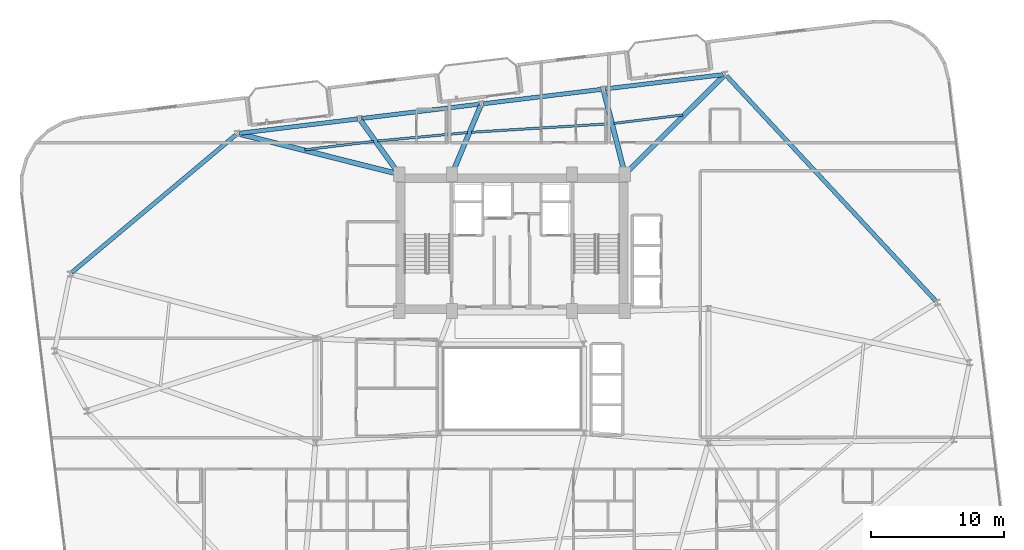
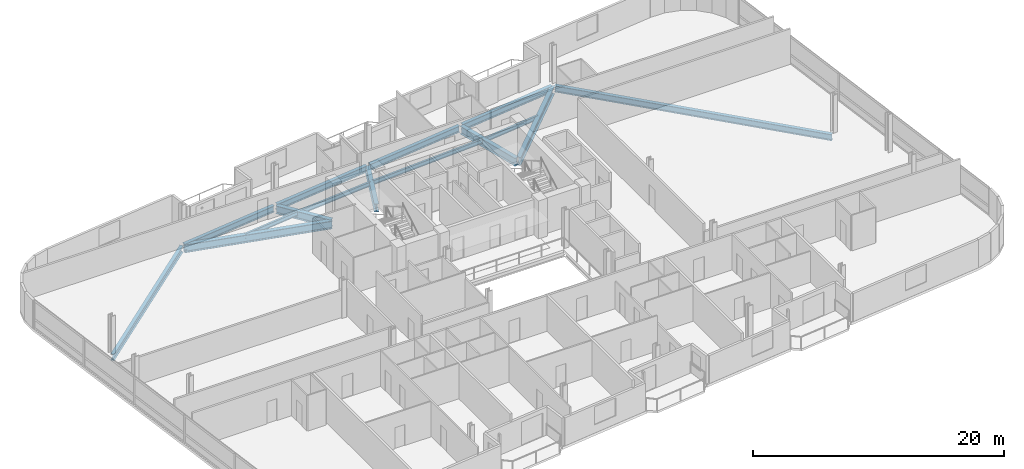
# One storey, part 9 of 23: 15 beams.
"""IFC4 building model written with IfcOpenShell, lengths in metres."""

from ifc_helpers import new_model, si_unit, direction, frame, origin, origin_2d, place, context, subcontext, project, spatial, i_section, extrude, material, material_profile, profile_set, type_object, element, save


model = new_model("IFC4")

# Units and contexts
model_context = context("Model", 3, precision=1e-05, world=origin(), true_north=direction((0.0, 1.0)))
body_context = subcontext(model_context, "Body", "Model", "MODEL_VIEW")
ifc_project = project(units=[si_unit("LENGTHUNIT", "METRE"), si_unit("AREAUNIT", "SQUARE_METRE"), si_unit("VOLUMEUNIT", "CUBIC_METRE"), si_unit("PLANEANGLEUNIT", "RADIAN"), si_unit("MASSUNIT", "GRAM", prefix="KILO")], contexts=[model_context])

# Site, building, storey
site_placement = place(None, origin())
site = spatial("IfcSite", under=ifc_project, at=site_placement, CompositionType="ELEMENT")
building_placement = place(site_placement, origin())
building = spatial("IfcBuilding", under=site, at=building_placement, Name="Varnelok Gate Tower", CompositionType="ELEMENT")
storey_placement = place(building_placement, frame((0.0, 0.0, 174.60009765625)))
storey = spatial("IfcBuildingStorey", under=building, at=storey_placement, Name="L44", CompositionType="ELEMENT", Elevation=174.60009765625)

# Beams
ifc_material = material(Name="Structural Steel ASTM A992 Grade 50", Category="steel")
ifc_material_profile_1 = material_profile(ifc_material, i_section(OverallWidth=0.180908203125, OverallDepth=0.4169921875, WebThickness=0.010986328125, FlangeThickness=0.018310546875, FilletRadius=0.013916015625, at=origin_2d()), Name="W16X57")
ifc_profile_set_1 = profile_set([ifc_material_profile_1], Name="Structural Steel ASTM A992 Grade 50")
beam_type_1 = type_object("IfcBeamType", Name="BM-JST-W16X57", PredefinedType="JOIST", material=ifc_profile_set_1)
beam_1_placement = place(storey_placement, frame((52.0576171875, 43.505859375, -0.45849609375), z_axis=(-0.99273192091, -0.120346720792, 0.0), x_axis=(0.120346720792, -0.99273192091, 0.0)))
element("IfcBeam", 1, at=beam_1_placement, inside=storey, type_object=beam_type_1, Name="L44 Sector Floor Joist 7", PredefinedType="JOIST", context=body_context, shape_type="SweptSolid", body=[
    extrude(i_section(OverallWidth=0.180908203125, OverallDepth=0.4169921875, WebThickness=0.010986328125, FlangeThickness=0.018310546875, FilletRadius=0.013916015625, at=origin_2d()), origin(), (0.0, 0.0, 1.0), 5.223876953125),
])
beam_2_placement = place(storey_placement, frame((46.59326171875, 42.8515625, -0.45849609375), z_axis=(-0.998103200864, -0.061562979331, 0.0), x_axis=(0.061562979331, -0.998103200864, 0.0)))
element("IfcBeam", 2, at=beam_2_placement, inside=storey, type_object=beam_type_1, Name="L44 Sector Floor Joist 8", PredefinedType="JOIST", context=body_context, shape_type="SweptSolid", body=[
    extrude(i_section(OverallWidth=0.180908203125, OverallDepth=0.4169921875, WebThickness=0.010986328125, FlangeThickness=0.018310546875, FilletRadius=0.013916015625, at=origin_2d()), origin(), (0.0, 0.0, 1.0), 10.477294921875),
])
beam_3_placement = place(storey_placement, frame((35.856689453125, 42.184814453125, -0.45849609375), z_axis=(-0.995647510316, -0.093198901289, 0.0), x_axis=(0.093198901289, -0.995647510316, 0.0)))
element("IfcBeam", 3, at=beam_3_placement, inside=storey, type_object=beam_type_1, Name="L44 Sector Floor Joist 9", PredefinedType="JOIST", context=body_context, shape_type="SweptSolid", body=[
    extrude(i_section(OverallWidth=0.180908203125, OverallDepth=0.4169921875, WebThickness=0.010986328125, FlangeThickness=0.018310546875, FilletRadius=0.013916015625, at=origin_2d()), origin(), (0.0, 0.0, 1.0), 6.82666015625),
])
beam_4_placement = place(storey_placement, frame((28.781494140625, 41.518798828125, -0.45849609375), z_axis=(-0.992726336158, -0.120392780092, 0.0), x_axis=(0.120392780092, -0.992726336158, 0.0)))
element("IfcBeam", 4, at=beam_4_placement, inside=storey, type_object=beam_type_1, Name="L44 Sector Floor Joist 10", PredefinedType="JOIST", context=body_context, shape_type="SweptSolid", body=[
    extrude(i_section(OverallWidth=0.180908203125, OverallDepth=0.4169921875, WebThickness=0.010986328125, FlangeThickness=0.018310546875, FilletRadius=0.013916015625, at=origin_2d()), origin(), (0.0, 0.0, 1.0), 5.223876953125),
])
ifc_material_profile_2 = material_profile(ifc_material, i_section(OverallWidth=0.381103515625, OverallDepth=0.77294921875, WebThickness=0.0166015625, FlangeThickness=0.027099609375, FilletRadius=0.02197265625, at=origin_2d()), Name="W30X173")
ifc_profile_set_2 = profile_set([ifc_material_profile_2], Name="Structural Steel ASTM A992 Grade 50")
beam_type_2 = type_object("IfcBeamType", Name="BM-PRI-W30X173", PredefinedType="BEAM", material=ifc_profile_set_2)
beam_5_placement = place(storey_placement, frame((47.806396484375, 39.15576171875, -0.63671875), z_axis=(0.708989690383, 0.705218844707, 0.0), x_axis=(-0.705218844707, 0.708989690383, 0.0)))
element("IfcBeam", 5, at=beam_5_placement, inside=storey, type_object=beam_type_2, Name="L44 Radial Floor Girder 9", PredefinedType="BEAM", context=body_context, shape_type="SweptSolid", body=[
    extrude(i_section(OverallWidth=0.381103515625, OverallDepth=0.77294921875, WebThickness=0.0166015625, FlangeThickness=0.027099609375, FilletRadius=0.02197265625, at=origin_2d()), origin(), (0.0, 0.0, 1.0), 10.359130859375),
])
beam_6_placement = place(storey_placement, frame((47.6630859375, 39.1953125, -0.63671875), z_axis=(-0.246004343354, 0.969268725922, 0.0), x_axis=(-0.969268725922, -0.246004343354, 0.0)))
element("IfcBeam", 6, at=beam_6_placement, inside=storey, type_object=beam_type_2, Name="L44 Radial Floor Girder 10", PredefinedType="BEAM", context=body_context, shape_type="SweptSolid", body=[
    extrude(i_section(OverallWidth=0.381103515625, OverallDepth=0.77294921875, WebThickness=0.0166015625, FlangeThickness=0.027099609375, FilletRadius=0.02197265625, at=origin_2d()), origin(), (0.0, 0.0, 1.0), 6.306884765625),
])
beam_7_placement = place(storey_placement, frame((34.73779296875, 39.1884765625, -0.63671875), z_axis=(0.38573799398, 0.922608367619, 0.0), x_axis=(-0.922608367619, 0.38573799398, 0.0)))
element("IfcBeam", 7, at=beam_7_placement, inside=storey, type_object=beam_type_2, Name="L44 Radial Floor Girder 11", PredefinedType="BEAM", context=body_context, shape_type="SweptSolid", body=[
    extrude(i_section(OverallWidth=0.381103515625, OverallDepth=0.77294921875, WebThickness=0.0166015625, FlangeThickness=0.027099609375, FilletRadius=0.02197265625, at=origin_2d()), origin(), (0.0, 0.0, 1.0), 5.434326171875),
])
beam_8_placement = place(storey_placement, frame((30.61279296875, 39.172119140625, -0.63671875), z_axis=(-0.582178250272, 0.81306118153, 0.0), x_axis=(-0.81306118153, -0.582178250272, 0.0)))
element("IfcBeam", 8, at=beam_8_placement, inside=storey, type_object=beam_type_2, Name="L44 Radial Floor Girder 12", PredefinedType="BEAM", context=body_context, shape_type="SweptSolid", body=[
    extrude(i_section(OverallWidth=0.381103515625, OverallDepth=0.77294921875, WebThickness=0.0166015625, FlangeThickness=0.027099609375, FilletRadius=0.02197265625, at=origin_2d()), origin(), (0.0, 0.0, 1.0), 4.837646484375),
])
beam_9_placement = place(storey_placement, frame((30.554443359375, 39.086669921875, -0.63671875), z_axis=(-0.969752143123, 0.244091746906, 0.0), x_axis=(-0.244091746906, -0.969752143123, 0.0)))
element("IfcBeam", 9, at=beam_9_placement, inside=storey, type_object=beam_type_2, Name="L44 Radial Floor Girder 13", PredefinedType="BEAM", context=body_context, shape_type="SweptSolid", body=[
    extrude(i_section(OverallWidth=0.381103515625, OverallDepth=0.77294921875, WebThickness=0.0166015625, FlangeThickness=0.027099609375, FilletRadius=0.02197265625, at=origin_2d()), origin(), (0.0, 0.0, 1.0), 12.25341796875),
])
ifc_material_profile_3 = material_profile(ifc_material, i_section(OverallWidth=0.323974609375, OverallDepth=0.611083984375, WebThickness=0.0126953125, FlangeThickness=0.01904296875, FilletRadius=0.01806640625, at=origin_2d()), Name="W24X104")
ifc_profile_set_3 = profile_set([ifc_material_profile_3], Name="Structural Steel ASTM A992 Grade 50")
beam_type_3 = type_object("IfcBeamType", Name="BM-SPN-W24X104", PredefinedType="SPANDREL", material=ifc_profile_set_3)
beam_10_placement = place(storey_placement, frame((71.123291015625, 29.49365234375, -0.5556640625), z_axis=(-0.680734113922, 0.732530590585, 0.0), x_axis=(-0.732530590585, -0.680734113922, 0.0)))
element("IfcBeam", 10, at=beam_10_placement, inside=storey, type_object=beam_type_3, Name="L44 Perimeter Spandrel Beam 8", PredefinedType="SPANDREL", context=body_context, shape_type="SweptSolid", body=[
    extrude(i_section(OverallWidth=0.323974609375, OverallDepth=0.611083984375, WebThickness=0.0126953125, FlangeThickness=0.01904296875, FilletRadius=0.01806640625, at=origin_2d()), origin(), (0.0, 0.0, 1.0), 23.1572265625),
])
for number, where, z_axis, x_axis, name in (
    (11, (55.1083984375, 46.548828125, -0.5556640625), (-0.992734670707, -0.120324035735, 0.0), (0.120324035735, -0.992734670707, 0.0), "L44 Perimeter Spandrel Beam 9"),
    (12, (45.92578125, 45.435791015625, -0.5556640625), (-0.99273141198, -0.120350918849, 0.0), (0.120350918849, -0.99273141198, 0.0), "L44 Perimeter Spandrel Beam 10"),
    (13, (36.742919921875, 44.322509765625, -0.5556640625), (-0.992734670707, -0.120324035735, 0.0), (0.120324035735, -0.992734670707, 0.0), "L44 Perimeter Spandrel Beam 11"),
    (14, (27.56005859375, 43.209228515625, -0.5556640625), (-0.992734670707, -0.120324035735, 0.0), (0.120324035735, -0.992734670707, 0.0), "L44 Perimeter Spandrel Beam 12"),
):
    element("IfcBeam", number, at=place(storey_placement, frame(where, z_axis=z_axis, x_axis=x_axis)), inside=storey, type_object=beam_type_3, Name=name, PredefinedType="SPANDREL", context=body_context, shape_type="SweptSolid", body=[
        extrude(i_section(OverallWidth=0.323974609375, OverallDepth=0.611083984375, WebThickness=0.0126953125, FlangeThickness=0.01904296875, FilletRadius=0.01806640625, at=origin_2d()), origin(), (0.0, 0.0, 1.0), 8.949951171875),
    ])
beam_11_placement = place(storey_placement, frame((18.411376953125, 42.017822265625, -0.5556640625), z_axis=(-0.766099582792, -0.642721891059, 0.0), x_axis=(0.642721891059, -0.766099582792, 0.0)))
element("IfcBeam", 15, at=beam_11_placement, inside=storey, type_object=beam_type_3, Name="L44 Perimeter Spandrel Beam 13", PredefinedType="SPANDREL", context=body_context, shape_type="SweptSolid", body=[
    extrude(i_section(OverallWidth=0.323974609375, OverallDepth=0.611083984375, WebThickness=0.0126953125, FlangeThickness=0.01904296875, FilletRadius=0.01806640625, at=origin_2d()), origin(), (0.0, 0.0, 1.0), 16.151123046875),
])

save(model, "model.ifc")
